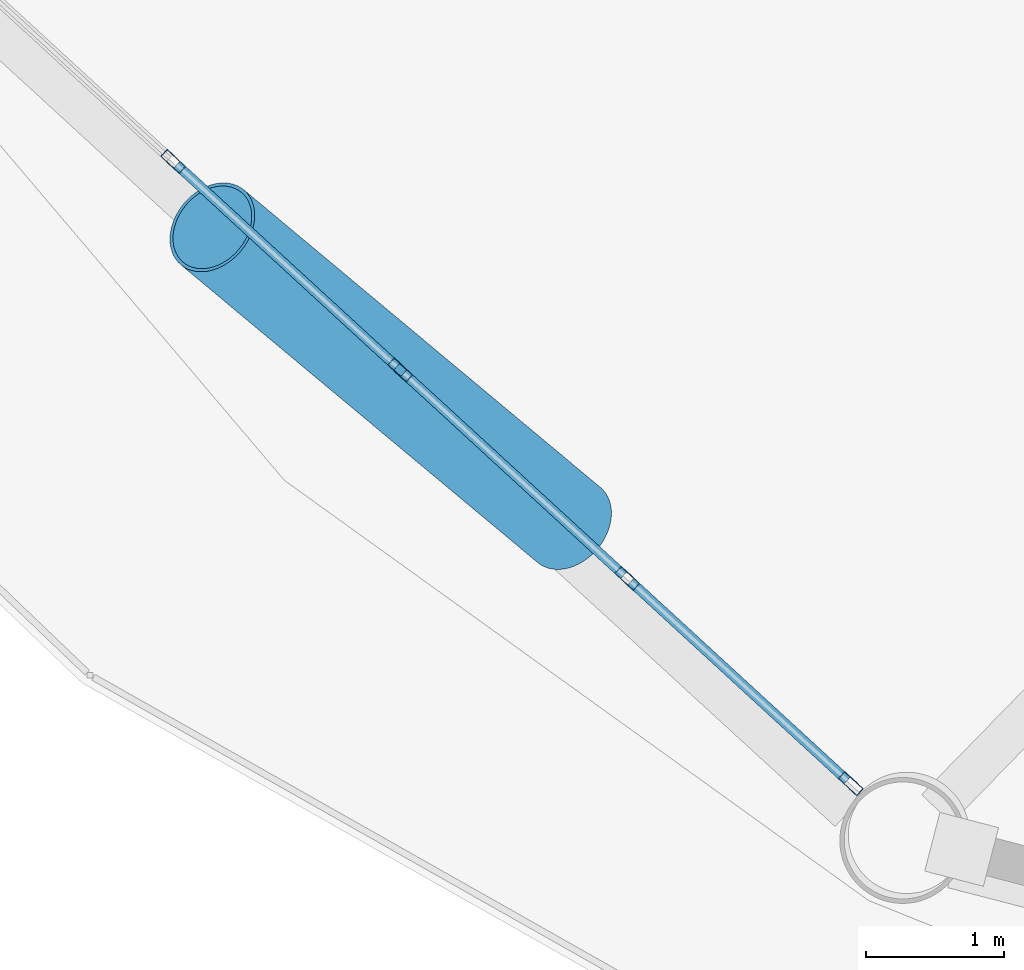
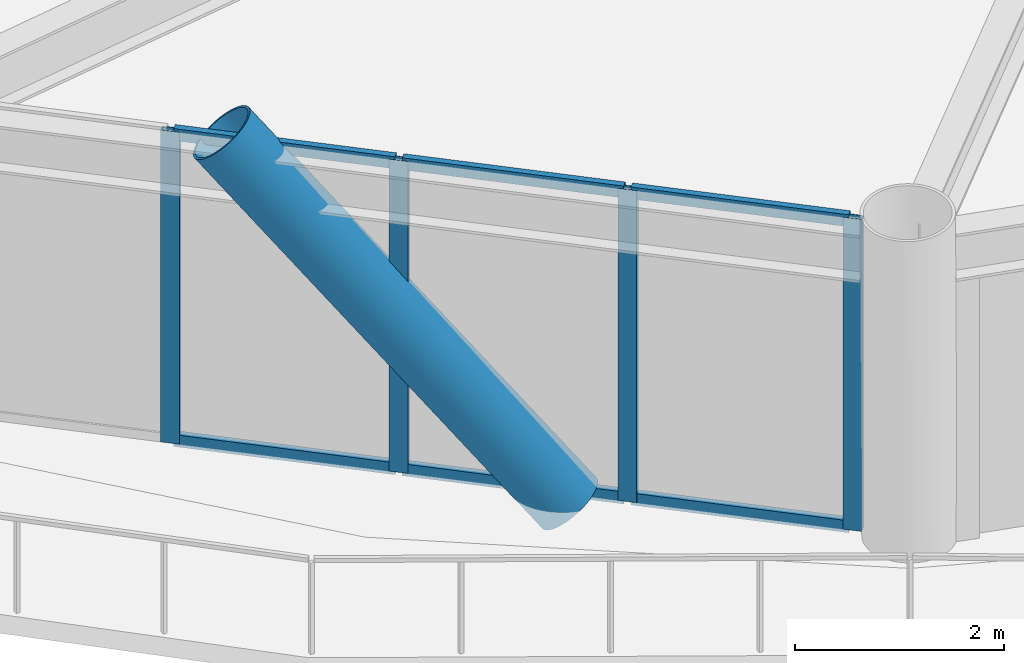
# One storey, part 2 of 23: 11 members, 1 element without a shape of its own.
"""IFC4 building model written with IfcOpenShell, lengths in metres."""

from ifc_helpers import new_model, si_unit, direction, frame, origin, origin_2d, place, context, subcontext, project, spatial, hollow_rectangle, hollow_circle, extrude, material, layer, layer_set, material_profile, profile_set, type_object, element, aggregate, save


model = new_model("IFC4")

# Units and contexts
model_context = context("Model", 3, precision=1e-05, world=origin(), true_north=direction((0.0, 1.0)))
body_context = subcontext(model_context, "Body", "Model", "MODEL_VIEW")
ifc_project = project(units=[si_unit("LENGTHUNIT", "METRE"), si_unit("AREAUNIT", "SQUARE_METRE"), si_unit("VOLUMEUNIT", "CUBIC_METRE"), si_unit("PLANEANGLEUNIT", "RADIAN"), si_unit("MASSUNIT", "GRAM", prefix="KILO")], contexts=[model_context])

# Site, building, storey
site_placement = place(None, origin())
site = spatial("IfcSite", under=ifc_project, at=site_placement, CompositionType="ELEMENT")
building_placement = place(site_placement, origin())
building = spatial("IfcBuilding", under=site, at=building_placement, Name="Varnakorn Sky Granary", CompositionType="ELEMENT")
storey_placement = place(building_placement, frame((0.0, 0.0, 31.5)))
storey = spatial("IfcBuildingStorey", under=building, at=storey_placement, Name="L07", CompositionType="ELEMENT", Elevation=31.5)

# Curtain wall, members
ifc_material_1 = material(Name="Anodised Bronze Aluminium Alloy 6063-T6", Category="aluminium")
ifc_layer = layer(ifc_material_1, 0.18994140625, Name="Anodised Bronze Aluminium Alloy 6063-T6")
ifc_layer_set = layer_set([ifc_layer], Name="Anodised Bronze Aluminium Alloy 6063-T6")
curtain_wall_type = type_object("IfcCurtainWallType", Name="CW-FRM-1", PredefinedType="USERDEFINED", material=ifc_layer_set)
curtain_wall_placement = place(storey_placement, origin())
curtain_wall = element("IfcCurtainWall", 1, at=curtain_wall_placement, inside=storey, type_object=curtain_wall_type, Name="Unitised Curtain Wall CW3 CW-L07-B08", ObjectType="CURTAIN WALL", PredefinedType="USERDEFINED")
ifc_material_profile_1 = material_profile(ifc_material_1, hollow_rectangle(XDim=0.070068359375, YDim=0.18505859375, WallThickness=0.00390625, at=origin_2d()), Name="ALU MULL 70x185")
ifc_profile_set_1 = profile_set([ifc_material_profile_1], Name="Anodised Bronze Aluminium Alloy 6063-T6")
member_type_1 = type_object("IfcMemberType", Name="CW-FRM-1-MULL", PredefinedType="MULLION", material=ifc_profile_set_1)
member_1_placement = place(storey_placement, frame((-11.9580078125, -15.6142578125, 0.0), z_axis=(0.0, 0.0, 1.0), x_axis=(-0.676386704621, -0.736546689499, 0.0)))
member_1 = element("IfcMember", 2, at=member_1_placement, type_object=member_type_1, Name="CW3 mullion 1", PredefinedType="MULLION", context=body_context, shape_type="SweptSolid", body=[
    extrude(hollow_rectangle(XDim=0.070068359375, YDim=0.18505859375, WallThickness=0.00390625, at=origin_2d()), origin(), (0.0, 0.0, 1.0), 3.639892578125),
])
member_2_placement = place(storey_placement, frame((-13.58154296875, -14.12353515625, 0.0), z_axis=(0.0, 0.0, 1.0), x_axis=(-0.676386704621, -0.736546689499, 0.0)))
member_2 = element("IfcMember", 3, at=member_2_placement, type_object=member_type_1, Name="CW3 mullion 2", PredefinedType="MULLION", context=body_context, shape_type="SweptSolid", body=[
    extrude(hollow_rectangle(XDim=0.070068359375, YDim=0.18505859375, WallThickness=0.00390625, at=origin_2d()), origin(), (0.0, 0.0, 1.0), 3.639892578125),
])
member_3_placement = place(storey_placement, frame((-15.230712890625, -12.609130859375, 0.0), z_axis=(0.0, 0.0, 1.0), x_axis=(-0.676386704621, -0.736546689499, 0.0)))
member_3 = element("IfcMember", 4, at=member_3_placement, type_object=member_type_1, Name="CW3 mullion 3", PredefinedType="MULLION", context=body_context, shape_type="SweptSolid", body=[
    extrude(hollow_rectangle(XDim=0.070068359375, YDim=0.18505859375, WallThickness=0.00390625, at=origin_2d()), origin(), (0.0, 0.0, 1.0), 3.639892578125),
])
member_4_placement = place(storey_placement, frame((-16.879638671875, -11.0947265625, 0.0), z_axis=(0.0, 0.0, 1.0), x_axis=(-0.676386704621, -0.736546689499, 0.0)))
member_4 = element("IfcMember", 5, at=member_4_placement, type_object=member_type_1, Name="CW3 mullion 4", PredefinedType="MULLION", context=body_context, shape_type="SweptSolid", body=[
    extrude(hollow_rectangle(XDim=0.070068359375, YDim=0.18505859375, WallThickness=0.00390625, at=origin_2d()), origin(), (0.0, 0.0, 1.0), 3.639892578125),
])
ifc_material_profile_2 = material_profile(ifc_material_1, hollow_rectangle(XDim=0.070068359375, YDim=0.139892578125, WallThickness=0.00341796875, at=origin_2d()), Name="ALU TRAN 70x140")
ifc_profile_set_2 = profile_set([ifc_material_profile_2], Name="Anodised Bronze Aluminium Alloy 6063-T6")
member_type_2 = type_object("IfcMemberType", Name="CW-FRM-1-TRAN", PredefinedType="USERDEFINED", material=ifc_profile_set_2)
member_5_placement = place(storey_placement, frame((-11.98388671875, -15.590576171875, 0.034912109375), z_axis=(-0.736555478372, 0.676377133913, 0.0), x_axis=(-0.676377133913, -0.736555478372, 0.0)))
member_5 = element("IfcMember", 6, at=member_5_placement, type_object=member_type_2, Name="CW3 transom 1.1", ObjectType="TRANSOM", PredefinedType="USERDEFINED", context=body_context, shape_type="SweptSolid", body=[
    extrude(hollow_rectangle(XDim=0.070068359375, YDim=0.139892578125, WallThickness=0.00341796875, at=origin_2d()), origin(), (0.0, 0.0, 1.0), 2.134033203125),
])
member_6_placement = place(storey_placement, frame((-11.98388671875, -15.590576171875, 3.60498046875), z_axis=(-0.736555478372, 0.676377133913, 0.0), x_axis=(-0.676377133913, -0.736555478372, 0.0)))
member_6 = element("IfcMember", 7, at=member_6_placement, type_object=member_type_2, Name="CW3 transom 1.2", ObjectType="TRANSOM", PredefinedType="USERDEFINED", context=body_context, shape_type="SweptSolid", body=[
    extrude(hollow_rectangle(XDim=0.070068359375, YDim=0.139892578125, WallThickness=0.00341796875, at=origin_2d()), origin(), (0.0, 0.0, 1.0), 2.134033203125),
])
member_7_placement = place(storey_placement, frame((-13.607177734375, -14.099853515625, 0.034912109375), z_axis=(-0.736574518081, 0.676356399625, 0.0), x_axis=(-0.676356399625, -0.736574518081, 0.0)))
member_7 = element("IfcMember", 8, at=member_7_placement, type_object=member_type_2, Name="CW3 transom 2.1", ObjectType="TRANSOM", PredefinedType="USERDEFINED", context=body_context, shape_type="SweptSolid", body=[
    extrude(hollow_rectangle(XDim=0.070068359375, YDim=0.139892578125, WallThickness=0.00341796875, at=origin_2d()), origin(), (0.0, 0.0, 1.0), 2.1689453125),
])
member_8_placement = place(storey_placement, frame((-13.607177734375, -14.099853515625, 3.60498046875), z_axis=(-0.736574518081, 0.676356399625, 0.0), x_axis=(-0.676356399625, -0.736574518081, 0.0)))
member_8 = element("IfcMember", 9, at=member_8_placement, type_object=member_type_2, Name="CW3 transom 2.2", ObjectType="TRANSOM", PredefinedType="USERDEFINED", context=body_context, shape_type="SweptSolid", body=[
    extrude(hollow_rectangle(XDim=0.070068359375, YDim=0.139892578125, WallThickness=0.00341796875, at=origin_2d()), origin(), (0.0, 0.0, 1.0), 2.1689453125),
])
member_9_placement = place(storey_placement, frame((-15.25634765625, -12.58544921875, 0.034912109375), z_axis=(-0.736574518081, 0.676356399625, 0.0), x_axis=(-0.676356399625, -0.736574518081, 0.0)))
member_9 = element("IfcMember", 10, at=member_9_placement, type_object=member_type_2, Name="CW3 transom 3.1", ObjectType="TRANSOM", PredefinedType="USERDEFINED", context=body_context, shape_type="SweptSolid", body=[
    extrude(hollow_rectangle(XDim=0.070068359375, YDim=0.139892578125, WallThickness=0.00341796875, at=origin_2d()), origin(), (0.0, 0.0, 1.0), 2.1689453125),
])
member_10_placement = place(storey_placement, frame((-15.25634765625, -12.58544921875, 3.60498046875), z_axis=(-0.736574518081, 0.676356399625, 0.0), x_axis=(-0.676356399625, -0.736574518081, 0.0)))
member_10 = element("IfcMember", 11, at=member_10_placement, type_object=member_type_2, Name="CW3 transom 3.2", ObjectType="TRANSOM", PredefinedType="USERDEFINED", context=body_context, shape_type="SweptSolid", body=[
    extrude(hollow_rectangle(XDim=0.070068359375, YDim=0.139892578125, WallThickness=0.00341796875, at=origin_2d()), origin(), (0.0, 0.0, 1.0), 2.1689453125),
])
aggregate(curtain_wall, [member_1, member_2, member_3, member_4, member_5, member_6, member_7, member_8, member_9, member_10])

# Member
ifc_material_2 = material(Name="Steel S460M", Category="steel")
ifc_material_profile_3 = material_profile(ifc_material_2, hollow_circle(Radius=0.35546875, WallThickness=0.02490234375, at=origin_2d()), Name="CHS 711x25")
ifc_profile_set_3 = profile_set([ifc_material_profile_3], Name="Steel S460M")
member_type_3 = type_object("IfcMemberType", Name="MB-DIAG-T0", PredefinedType="BRACE", material=ifc_profile_set_3)
member_11_placement = place(storey_placement, frame((-14.004150390625, -13.7353515625, -0.1298828125), z_axis=(-0.500962210966, 0.418034888122, 0.757815080014), x_axis=(-0.640696551773, -0.767794196739, 0.0)))
element("IfcMember", 12, at=member_11_placement, inside=storey, type_object=member_type_3, Name="Perimeter CHS Diagrid Brace DG08 L07", PredefinedType="BRACE", context=body_context, shape_type="SweptSolid", body=[
    extrude(hollow_circle(Radius=0.35546875, WallThickness=0.02490234375, at=origin_2d()), origin(), (0.0, 0.0, 1.0), 5.172607421875),
])

save(model, "model.ifc")
